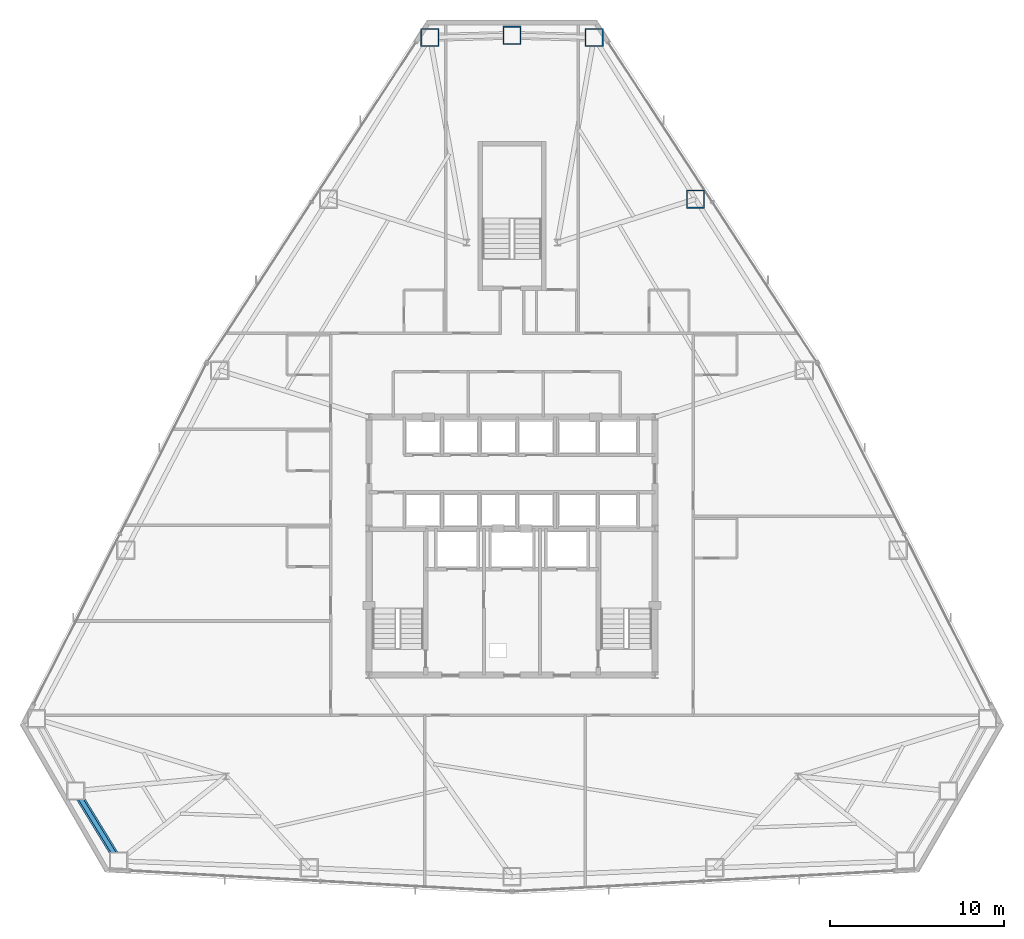
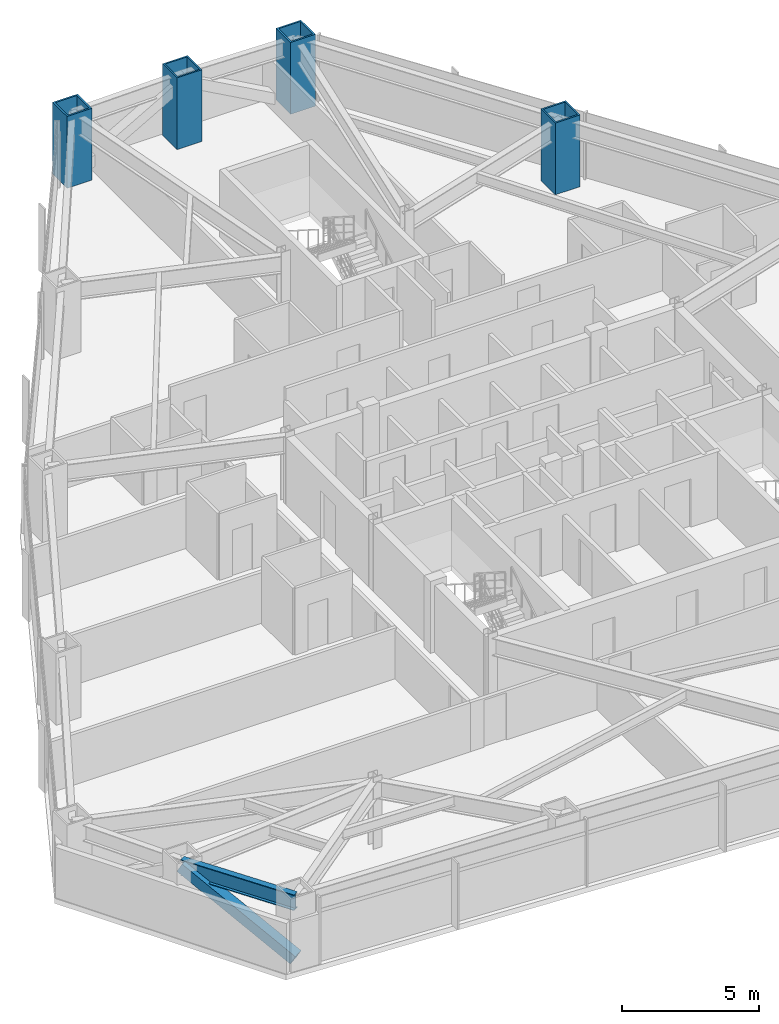
# One storey, part 3 of 12: 4 columns, 1 beam, 1 member.
"""IFC4 building model written with IfcOpenShell, lengths in metres."""

from ifc_helpers import new_model, si_unit, direction, frame, origin, origin_2d, place, context, subcontext, project, spatial, hollow_rectangle, i_section, extrude, source, transform, mapped, material, material_profile, profile_set, type_object, type_shapes, element, save


model = new_model("IFC4")

# Units and contexts
model_context = context("Model", 3, precision=1e-05, world=origin(), true_north=direction((0.0, 1.0)))
body_context = subcontext(model_context, "Body", "Model", "MODEL_VIEW")
ifc_project = project(units=[si_unit("LENGTHUNIT", "METRE"), si_unit("AREAUNIT", "SQUARE_METRE"), si_unit("VOLUMEUNIT", "CUBIC_METRE"), si_unit("PLANEANGLEUNIT", "RADIAN"), si_unit("MASSUNIT", "GRAM", prefix="KILO")], contexts=[model_context])

# Site, building, storey
site_placement = place(None, origin())
site = spatial("IfcSite", under=ifc_project, at=site_placement, CompositionType="ELEMENT")
building_placement = place(site_placement, origin())
building = spatial("IfcBuilding", under=site, at=building_placement, Name="Varakhsha Concourse Tower", CompositionType="ELEMENT")
storey_placement = place(building_placement, frame((0.0, 0.0, 79.800048828125)))
storey = spatial("IfcBuildingStorey", under=building, at=storey_placement, Name="L22", CompositionType="ELEMENT", Elevation=79.800048828125)

# Columns
ifc_material_1 = material(Name="Structural Steel ASTM A572 Grade 50", Category="steel")
ifc_material_profile_1 = material_profile(ifc_material_1, hollow_rectangle(XDim=1.050048828125, YDim=1.050048828125, WallThickness=0.070068359375, at=origin_2d()), Name="BOX 1050x1050x70")
ifc_profile_set_1 = profile_set([ifc_material_profile_1], Name="Structural Steel ASTM A572 Grade 50")
column_type = type_object("IfcColumnType", Name="CL-TUBE-1050", PredefinedType="COLUMN", material=ifc_profile_set_1)
for number, where, z_axis, x_axis, name in (
    (1, (44.7080078125, 52.963623046875, 0.0), (0.0, 0.0, 1.0), (1.0, 0.0, 0.0), "L22 Framed-Tube Column TC01"),
    (2, (40.0, 53.08251953125, 0.0), (0.0, 0.0, 1.0), (1.0, 0.0, 0.0), "L22 Framed-Tube Column TC02"),
    (3, (35.2919921875, 52.963623046875, 0.0), (0.0, 0.0, 1.0), (1.0, 0.0, 0.0), "L22 Framed-Tube Column TC03"),
    (4, (50.518310546875, 43.6923828125, 0.0), (0.0, 0.0, 1.0), (1.0, 0.0, 0.0), "L22 Framed-Tube Column TC18"),
):
    element("IfcColumn", number, at=place(storey_placement, frame(where, z_axis=z_axis, x_axis=x_axis)), inside=storey, type_object=column_type, Name=name, PredefinedType="COLUMN", context=body_context, shape_type="SweptSolid", body=[
        extrude(hollow_rectangle(XDim=1.050048828125, YDim=1.050048828125, WallThickness=0.070068359375, at=origin_2d()), origin(), (0.0, 0.0, 1.0), 3.199951171875),
    ])

# Beam
ifc_material_2 = material(Name="Structural Steel ASTM A992 Grade 50", Category="steel")
ifc_material_profile_2 = material_profile(ifc_material_2, i_section(OverallWidth=0.25390625, OverallDepth=0.701904296875, WebThickness=0.014892578125, FlangeThickness=0.028076171875, at=origin_2d()), Name="W27X129")
ifc_profile_set_2 = profile_set([ifc_material_profile_2], Name="Structural Steel ASTM A992 Grade 50")
beam_type = type_object("IfcBeamType", Name="BM-SPAN-W27X129", PredefinedType="SPANDREL", material=ifc_profile_set_2)
beam_placement = place(storey_placement, frame((14.987060546875, 9.7587890625, 2.618896484375), z_axis=(0.521674363238, -0.853144688046, 0.0), x_axis=(0.853144688046, 0.521674363238, 0.0)))
element("IfcBeam", 5, at=beam_placement, inside=storey, type_object=beam_type, Name="BM-SPAN-L22-08", PredefinedType="SPANDREL", context=body_context, shape_type="SweptSolid", body=[
    extrude(i_section(OverallWidth=0.25390625, OverallDepth=0.701904296875, WebThickness=0.014892578125, FlangeThickness=0.028076171875, at=origin_2d()), origin(), (0.0, 0.0, 1.0), 4.70947265625),
])

# Member
ifc_material_3 = material(Name="Structural Steel ASTM A500 Grade C", Category="steel")
ifc_material_profile_3 = material_profile(ifc_material_3, hollow_rectangle(XDim=0.449951171875, YDim=0.449951171875, WallThickness=0.01904296875, at=origin_2d()), Name="HSS 450x450x19")
ifc_profile_set_3 = profile_set([ifc_material_profile_3], Name="Structural Steel ASTM A500 Grade C")
member_type = type_object("IfcMemberType", Name="MB-TUBE-HSS450", PredefinedType="BRACE", material=ifc_profile_set_3)
shared_shape = source(origin(), body_context, "Body", "SweptSolid", [
    extrude(hollow_rectangle(XDim=0.449951171875, YDim=0.449951171875, WallThickness=0.01904296875, at=origin_2d()), origin(), (0.0, 0.0, 1.0), 5.35546875),
])
type_shapes(member_type, [shared_shape])
member_placement = place(storey_placement, frame((17.44384765625, 5.740966796875, 0.119873046875), z_axis=(-0.458740401684, 0.750222676192, 0.476154575732), x_axis=(-0.853144688046, -0.521674363238, 0.0)))
element("IfcMember", 6, at=member_placement, inside=storey, type_object=member_type, Name="L22 Wind-Corner Tube Brace B04", PredefinedType="BRACE", context=body_context, shape_type="MappedRepresentation", body=[
    mapped(shared_shape, transform((0.0, 0.0, 0.0), scale=1.0)),
])

save(model, "model.ifc")
